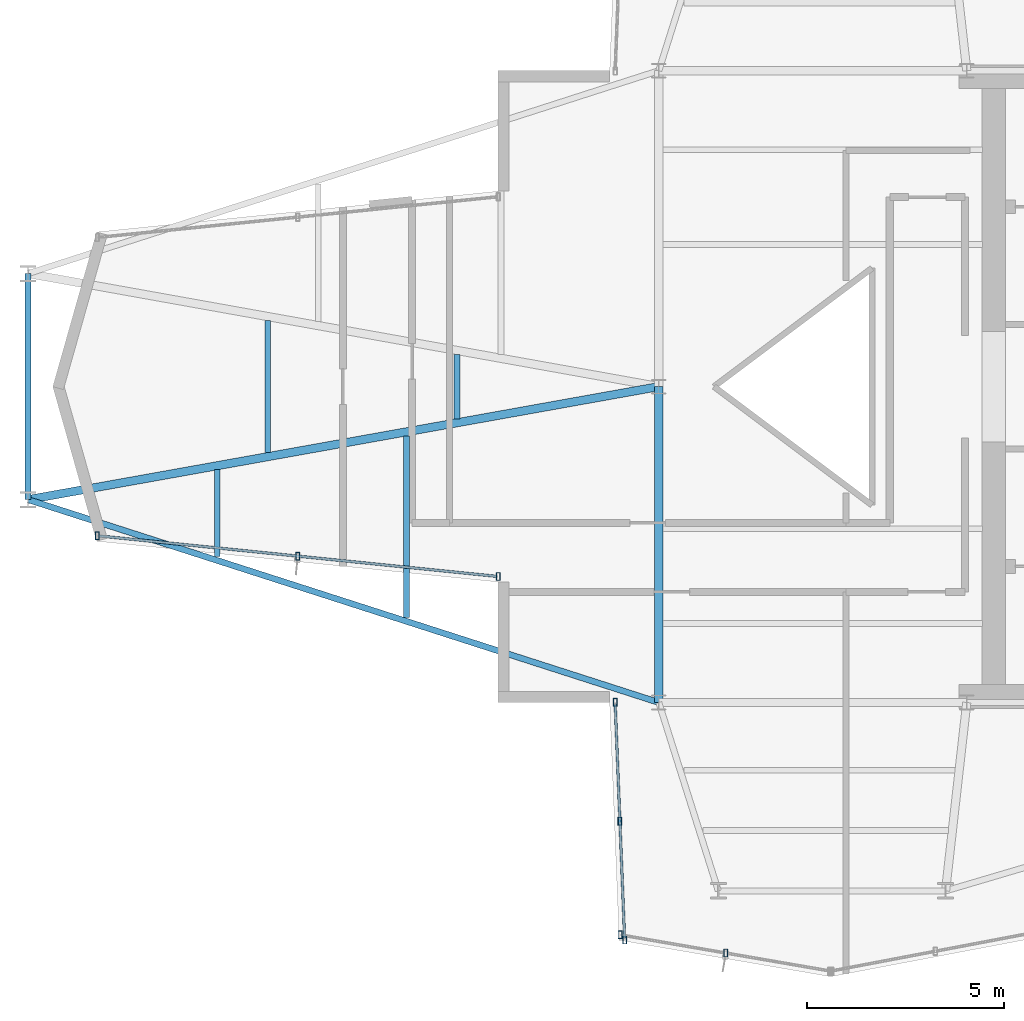
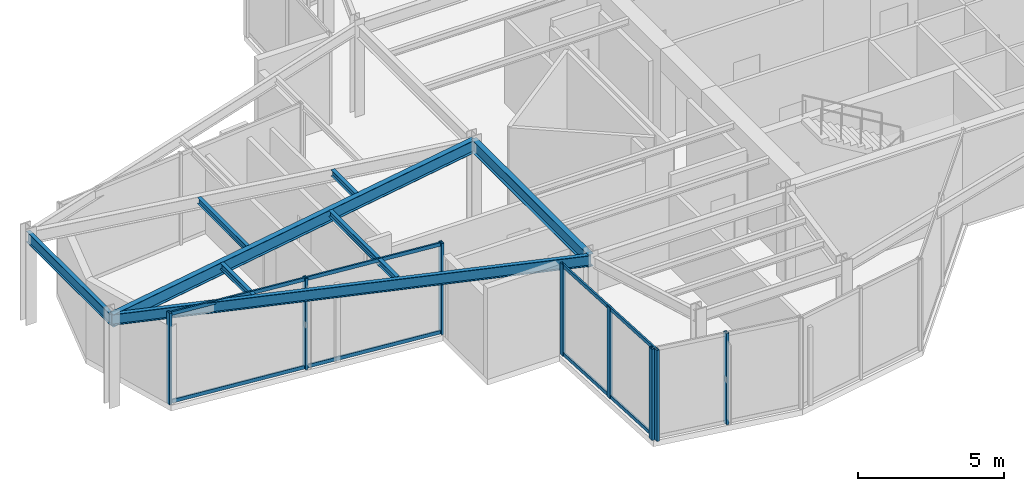
# One storey, part 2 of 14: 12 members, 8 beams, 3 elements without a shape of their own.
"""IFC4 building model written with IfcOpenShell, lengths in metres."""

from ifc_helpers import new_model, si_unit, direction, frame, origin, origin_2d, place, context, subcontext, project, spatial, hollow_rectangle, i_section, extrude, material, layer, layer_set, material_profile, profile_set, type_object, element, aggregate, save


model = new_model("IFC4")

# Units and contexts
model_context = context("Model", 3, precision=1e-05, world=origin(), true_north=direction((0.0, 1.0)))
body_context = subcontext(model_context, "Body", "Model", "MODEL_VIEW")
ifc_project = project(units=[si_unit("LENGTHUNIT", "METRE"), si_unit("AREAUNIT", "SQUARE_METRE"), si_unit("VOLUMEUNIT", "CUBIC_METRE"), si_unit("PLANEANGLEUNIT", "RADIAN"), si_unit("MASSUNIT", "GRAM", prefix="KILO")], contexts=[model_context])

# Site, building, storey
site_placement = place(None, origin())
site = spatial("IfcSite", under=ifc_project, at=site_placement, CompositionType="ELEMENT")
building_placement = place(site_placement, origin())
building = spatial("IfcBuilding", under=site, at=building_placement, Name="Veymaron Broadcast Tower", CompositionType="ELEMENT")
storey_placement = place(building_placement, frame((0.0, 0.0, 270.89990234375)))
storey = spatial("IfcBuildingStorey", under=building, at=storey_placement, Name="L63", CompositionType="ELEMENT", Elevation=270.89990234375)

# Beams
ifc_material_1 = material(Name="Structural steel ASTM A992 Gr 50", Category="steel")
ifc_material_profile_1 = material_profile(ifc_material_1, i_section(OverallWidth=0.208984375, OverallDepth=0.528076171875, WebThickness=0.009521484375, FlangeThickness=0.01318359375, at=origin_2d()), Name="W530X82")
ifc_profile_set_1 = profile_set([ifc_material_profile_1], Name="Structural steel ASTM A992 Gr 50")
beam_type_1 = type_object("IfcBeamType", Name="BM-FG4", PredefinedType="BEAM", material=ifc_profile_set_1)
beam_1_placement = place(storey_placement, frame((31.199951171875, 16.0, 3.546142578125), z_axis=(0.0, 1.0, 0.0), x_axis=(-1.0, 0.0, 0.0)))
element("IfcBeam", 1, at=beam_1_placement, inside=storey, type_object=beam_type_1, Name="L63 primary structural floor girder", PredefinedType="BEAM", context=body_context, shape_type="SweptSolid", body=[
    extrude(i_section(OverallWidth=0.208984375, OverallDepth=0.528076171875, WebThickness=0.009521484375, FlangeThickness=0.01318359375, at=origin_2d()), origin(), (0.0, 0.0, 1.0), 8.0),
])
beam_2_placement = place(storey_placement, frame((15.224365234375, 21.137939453125, 3.546142578125), z_axis=(0.98432849912, 0.176344565609, 0.0), x_axis=(-0.176344565609, 0.98432849912, 0.0)))
element("IfcBeam", 2, at=beam_2_placement, inside=storey, type_object=beam_type_1, Name="L63 primary structural floor girder", PredefinedType="BEAM", context=body_context, shape_type="SweptSolid", body=[
    extrude(i_section(OverallWidth=0.208984375, OverallDepth=0.528076171875, WebThickness=0.009521484375, FlangeThickness=0.01318359375, at=origin_2d()), origin(), (0.0, 0.0, 1.0), 16.22998046875),
])
ifc_material_profile_2 = material_profile(ifc_material_1, i_section(OverallWidth=0.14599609375, OverallDepth=0.258056640625, WebThickness=0.006103515625, FlangeThickness=0.009033203125, at=origin_2d()), Name="W250X33")
ifc_profile_set_2 = profile_set([ifc_material_profile_2], Name="Structural steel ASTM A992 Gr 50")
beam_type_2 = type_object("IfcBeamType", Name="BM-JS4", PredefinedType="JOIST", material=ifc_profile_set_2)
beam_3_placement = place(storey_placement, frame((20.01708984375, 19.696533203125, 3.68115234375), z_axis=(0.0, 1.0, 0.0), x_axis=(-1.0, 0.0, 0.0)))
element("IfcBeam", 3, at=beam_3_placement, inside=storey, type_object=beam_type_2, Name="L63 Arm-A secondary joist 1S", PredefinedType="JOIST", context=body_context, shape_type="SweptSolid", body=[
    extrude(i_section(OverallWidth=0.14599609375, OverallDepth=0.258056640625, WebThickness=0.006103515625, FlangeThickness=0.009033203125, at=origin_2d()), origin(), (0.0, 0.0, 1.0), 2.199951171875),
])
beam_4_placement = place(storey_placement, frame((21.295166015625, 22.32568359375, 3.68115234375), z_axis=(0.0, 1.0, 0.0), x_axis=(-1.0, 0.0, 0.0)))
element("IfcBeam", 4, at=beam_4_placement, inside=storey, type_object=beam_type_2, Name="L63 Arm-A secondary joist 1M", PredefinedType="JOIST", context=body_context, shape_type="SweptSolid", body=[
    extrude(i_section(OverallWidth=0.14599609375, OverallDepth=0.258056640625, WebThickness=0.006103515625, FlangeThickness=0.009033203125, at=origin_2d()), origin(), (0.0, 0.0, 1.0), 3.3486328125),
])
beam_5_placement = place(storey_placement, frame((24.809814453125, 18.1552734375, 3.68115234375), z_axis=(0.0, 1.0, 0.0), x_axis=(-1.0, 0.0, 0.0)))
element("IfcBeam", 5, at=beam_5_placement, inside=storey, type_object=beam_type_2, Name="L63 Arm-A secondary joist 2S", PredefinedType="JOIST", context=body_context, shape_type="SweptSolid", body=[
    extrude(i_section(OverallWidth=0.14599609375, OverallDepth=0.258056640625, WebThickness=0.006103515625, FlangeThickness=0.009033203125, at=origin_2d()), origin(), (0.0, 0.0, 1.0), 4.599853515625),
])
beam_6_placement = place(storey_placement, frame((26.087890625, 23.18408203125, 3.68115234375), z_axis=(0.0, 1.0, 0.0), x_axis=(-1.0, 0.0, 0.0)))
element("IfcBeam", 6, at=beam_6_placement, inside=storey, type_object=beam_type_2, Name="L63 Arm-A secondary joist 2M", PredefinedType="JOIST", context=body_context, shape_type="SweptSolid", body=[
    extrude(i_section(OverallWidth=0.14599609375, OverallDepth=0.258056640625, WebThickness=0.006103515625, FlangeThickness=0.009033203125, at=origin_2d()), origin(), (0.0, 0.0, 1.0), 1.6318359375),
])
ifc_material_profile_3 = material_profile(ifc_material_1, i_section(OverallWidth=0.154052734375, OverallDepth=0.458984375, WebThickness=0.009033203125, FlangeThickness=0.015380859375, at=origin_2d()), Name="W460X68")
ifc_profile_set_3 = profile_set([ifc_material_profile_3], Name="Structural steel ASTM A992 Gr 50")
beam_type_3 = type_object("IfcBeamType", Name="BM-SP2", PredefinedType="SPANDREL", material=ifc_profile_set_3)
beam_7_placement = place(storey_placement, frame((15.224365234375, 21.137939453125, 3.58056640625), z_axis=(0.951977688212, -0.306167407061, 0.0), x_axis=(0.306167407061, 0.951977688212, 0.0)))
element("IfcBeam", 7, at=beam_7_placement, inside=storey, type_object=beam_type_3, Name="L63 primary structural floor girder", PredefinedType="SPANDREL", context=body_context, shape_type="SweptSolid", body=[
    extrude(i_section(OverallWidth=0.154052734375, OverallDepth=0.458984375, WebThickness=0.009033203125, FlangeThickness=0.015380859375, at=origin_2d()), origin(), (0.0, 0.0, 1.0), 16.781494140625),
])
beam_8_placement = place(storey_placement, frame((15.224365234375, 21.137939453125, 3.58056640625), z_axis=(0.0, 1.0, 0.0), x_axis=(-1.0, 0.0, 0.0)))
element("IfcBeam", 8, at=beam_8_placement, inside=storey, type_object=beam_type_3, Name="L63 primary structural floor girder", PredefinedType="SPANDREL", context=body_context, shape_type="SweptSolid", body=[
    extrude(i_section(OverallWidth=0.154052734375, OverallDepth=0.458984375, WebThickness=0.009033203125, FlangeThickness=0.015380859375, at=origin_2d()), origin(), (0.0, 0.0, 1.0), 5.72412109375),
])

# Curtain wall, members
ifc_material_2 = material(Name="Anodised aluminium AA 6063-T6 and laminated low-E dark glass", Category="aluminium")
ifc_layer = layer(ifc_material_2, 0.179931640625)
ifc_layer_set = layer_set([ifc_layer], Name="Anodised aluminium AA 6063-T6 and laminated low-E dark glass")
curtain_wall_type = type_object("IfcCurtainWallType", Name="CW-SYS-06", PredefinedType="NOTDEFINED", material=ifc_layer_set)
curtain_wall_1_placement = place(storey_placement, origin())
curtain_wall_1 = element("IfcCurtainWall", 9, at=curtain_wall_1_placement, inside=storey, type_object=curtain_wall_type, Name="L63 dark-glass curtain wall CW-L63-E14-1", PredefinedType="NOTDEFINED")
ifc_material_3 = material(Name="Anodised aluminium AA 6063-T6", Category="aluminium")
ifc_material_profile_4 = material_profile(ifc_material_3, hollow_rectangle(XDim=0.10009765625, YDim=0.199951171875, WallThickness=0.010009765625, at=origin_2d()), Name="RHS200X100X10")
ifc_profile_set_4 = profile_set([ifc_material_profile_4], Name="Anodised aluminium AA 6063-T6")
member_type_1 = type_object("IfcMemberType", Name="CW-MUL-01", PredefinedType="MULLION", material=ifc_profile_set_4)
member_1_placement = place(storey_placement, frame((16.97412109375, 20.2236328125, 0.0), z_axis=(0.0, 0.0, 1.0), x_axis=(1.0, 0.0, 0.0)))
member_1 = element("IfcMember", 10, at=member_1_placement, type_object=member_type_1, Name="CW-L63-E14-1 mullion 0", PredefinedType="MULLION", context=body_context, shape_type="SweptSolid", body=[
    extrude(hollow_rectangle(XDim=0.10009765625, YDim=0.199951171875, WallThickness=0.010009765625, at=origin_2d()), origin(), (0.0, 0.0, 1.0), 3.81005859375),
])
member_2_placement = place(storey_placement, frame((22.054931640625, 19.70703125, 0.0), z_axis=(0.0, 0.0, 1.0), x_axis=(1.0, 0.0, 0.0)))
member_2 = element("IfcMember", 11, at=member_2_placement, type_object=member_type_1, Name="CW-L63-E14-1 mullion 1", PredefinedType="MULLION", context=body_context, shape_type="SweptSolid", body=[
    extrude(hollow_rectangle(XDim=0.10009765625, YDim=0.199951171875, WallThickness=0.010009765625, at=origin_2d()), origin(), (0.0, 0.0, 1.0), 3.81005859375),
])
member_3_placement = place(storey_placement, frame((27.1357421875, 19.1904296875, 0.0), z_axis=(0.0, 0.0, 1.0), x_axis=(1.0, 0.0, 0.0)))
member_3 = element("IfcMember", 12, at=member_3_placement, type_object=member_type_1, Name="CW-L63-E14-1 mullion 2", PredefinedType="MULLION", context=body_context, shape_type="SweptSolid", body=[
    extrude(hollow_rectangle(XDim=0.10009765625, YDim=0.199951171875, WallThickness=0.010009765625, at=origin_2d()), origin(), (0.0, 0.0, 1.0), 3.81005859375),
])

curtain_wall_2_placement = place(storey_placement, origin())
curtain_wall_2 = element("IfcCurtainWall", 13, at=curtain_wall_2_placement, inside=storey, type_object=curtain_wall_type, Name="L63 dark-glass curtain wall CW-L63-E17-1", PredefinedType="NOTDEFINED")
member_4_placement = place(storey_placement, frame((30.093505859375, 16.005615234375, 0.0), z_axis=(0.0, 0.0, 1.0), x_axis=(1.0, 0.0, 0.0)))
member_4 = element("IfcMember", 14, at=member_4_placement, type_object=member_type_1, Name="CW-L63-E17-1 mullion 0", PredefinedType="MULLION", context=body_context, shape_type="SweptSolid", body=[
    extrude(hollow_rectangle(XDim=0.10009765625, YDim=0.199951171875, WallThickness=0.010009765625, at=origin_2d()), origin(), (0.0, 0.0, 1.0), 3.81005859375),
])
member_5_placement = place(storey_placement, frame((30.214111328125, 12.9951171875, 0.0), z_axis=(0.0, 0.0, 1.0), x_axis=(1.0, 0.0, 0.0)))
member_5 = element("IfcMember", 15, at=member_5_placement, type_object=member_type_1, Name="CW-L63-E17-1 mullion 1", PredefinedType="MULLION", context=body_context, shape_type="SweptSolid", body=[
    extrude(hollow_rectangle(XDim=0.10009765625, YDim=0.199951171875, WallThickness=0.010009765625, at=origin_2d()), origin(), (0.0, 0.0, 1.0), 3.81005859375),
])
member_6_placement = place(storey_placement, frame((30.3349609375, 9.984375, 0.0), z_axis=(0.0, 0.0, 1.0), x_axis=(1.0, 0.0, 0.0)))
member_6 = element("IfcMember", 16, at=member_6_placement, type_object=member_type_1, Name="CW-L63-E17-1 mullion 2", PredefinedType="MULLION", context=body_context, shape_type="SweptSolid", body=[
    extrude(hollow_rectangle(XDim=0.10009765625, YDim=0.199951171875, WallThickness=0.010009765625, at=origin_2d()), origin(), (0.0, 0.0, 1.0), 3.81005859375),
])

curtain_wall_3_placement = place(storey_placement, origin())
curtain_wall_3 = element("IfcCurtainWall", 17, at=curtain_wall_3_placement, inside=storey, type_object=curtain_wall_type, Name="L63 dark-glass curtain wall CW-L63-E18-1", PredefinedType="NOTDEFINED")
member_7_placement = place(storey_placement, frame((30.21875, 10.11669921875, 0.0), z_axis=(0.0, 0.0, 1.0), x_axis=(1.0, 0.0, 0.0)))
member_7 = element("IfcMember", 18, at=member_7_placement, type_object=member_type_1, Name="CW-L63-E18-1 mullion 0", PredefinedType="MULLION", context=body_context, shape_type="SweptSolid", body=[
    extrude(hollow_rectangle(XDim=0.10009765625, YDim=0.199951171875, WallThickness=0.010009765625, at=origin_2d()), origin(), (0.0, 0.0, 1.0), 3.81005859375),
])
member_8_placement = place(storey_placement, frame((32.89794921875, 9.65478515625, 0.0), z_axis=(0.0, 0.0, 1.0), x_axis=(1.0, 0.0, 0.0)))
member_8 = element("IfcMember", 19, at=member_8_placement, type_object=member_type_1, Name="CW-L63-E18-1 mullion 1", PredefinedType="MULLION", context=body_context, shape_type="SweptSolid", body=[
    extrude(hollow_rectangle(XDim=0.10009765625, YDim=0.199951171875, WallThickness=0.010009765625, at=origin_2d()), origin(), (0.0, 0.0, 1.0), 3.81005859375),
])
aggregate(curtain_wall_3, [member_7, member_8])

# Member
ifc_material_profile_5 = material_profile(ifc_material_3, hollow_rectangle(XDim=0.06494140625, YDim=0.14990234375, WallThickness=0.00390625, at=origin_2d()), Name="AL150X65X4")
ifc_profile_set_5 = profile_set([ifc_material_profile_5], Name="Anodised aluminium AA 6063-T6")
member_type_2 = type_object("IfcMemberType", Name="CW-TRN-01", PredefinedType="USERDEFINED", material=ifc_profile_set_5)
member_9_placement = place(storey_placement, frame((17.02392578125, 20.218505859375, 0.070068359375), z_axis=(0.994872131197, -0.101140706775, 0.0), x_axis=(0.101140706775, 0.994872131197, 0.0)))
member_9 = element("IfcMember", 20, at=member_9_placement, type_object=member_type_2, Name="CW-L63-E14-1 transom B", ObjectType="TRANSOM", PredefinedType="USERDEFINED", context=body_context, shape_type="SweptSolid", body=[
    extrude(hollow_rectangle(XDim=0.06494140625, YDim=0.14990234375, WallThickness=0.00390625, at=origin_2d()), origin(), (0.0, 0.0, 1.0), 10.114013671875),
])

member_10_placement = place(storey_placement, frame((17.02392578125, 20.218505859375, 3.739990234375), z_axis=(0.994872131197, -0.101140706775, 0.0), x_axis=(0.101140706775, 0.994872131197, 0.0)))
member_10 = element("IfcMember", 21, at=member_10_placement, type_object=member_type_2, Name="CW-L63-E14-1 transom T", ObjectType="TRANSOM", PredefinedType="USERDEFINED", context=body_context, shape_type="SweptSolid", body=[
    extrude(hollow_rectangle(XDim=0.06494140625, YDim=0.14990234375, WallThickness=0.00390625, at=origin_2d()), origin(), (0.0, 0.0, 1.0), 10.114013671875),
])

aggregate(curtain_wall_1, [member_1, member_2, member_3, member_9, member_10])

member_11_placement = place(storey_placement, frame((30.095703125, 15.95556640625, 0.070068359375), z_axis=(0.040045368506, -0.999197862518, 0.0), x_axis=(0.999197862518, 0.040045368506, 0.0)))
member_11 = element("IfcMember", 22, at=member_11_placement, type_object=member_type_2, Name="CW-L63-E17-1 transom B", ObjectType="TRANSOM", PredefinedType="USERDEFINED", context=body_context, shape_type="SweptSolid", body=[
    extrude(hollow_rectangle(XDim=0.06494140625, YDim=0.14990234375, WallThickness=0.00390625, at=origin_2d()), origin(), (0.0, 0.0, 1.0), 5.92578125),
])

member_12_placement = place(storey_placement, frame((30.095703125, 15.95556640625, 3.739990234375), z_axis=(0.040045368506, -0.999197862518, 0.0), x_axis=(0.999197862518, 0.040045368506, 0.0)))
member_12 = element("IfcMember", 23, at=member_12_placement, type_object=member_type_2, Name="CW-L63-E17-1 transom T", ObjectType="TRANSOM", PredefinedType="USERDEFINED", context=body_context, shape_type="SweptSolid", body=[
    extrude(hollow_rectangle(XDim=0.06494140625, YDim=0.14990234375, WallThickness=0.00390625, at=origin_2d()), origin(), (0.0, 0.0, 1.0), 5.92578125),
])

aggregate(curtain_wall_2, [member_4, member_5, member_6, member_11, member_12])

save(model, "model.ifc")
